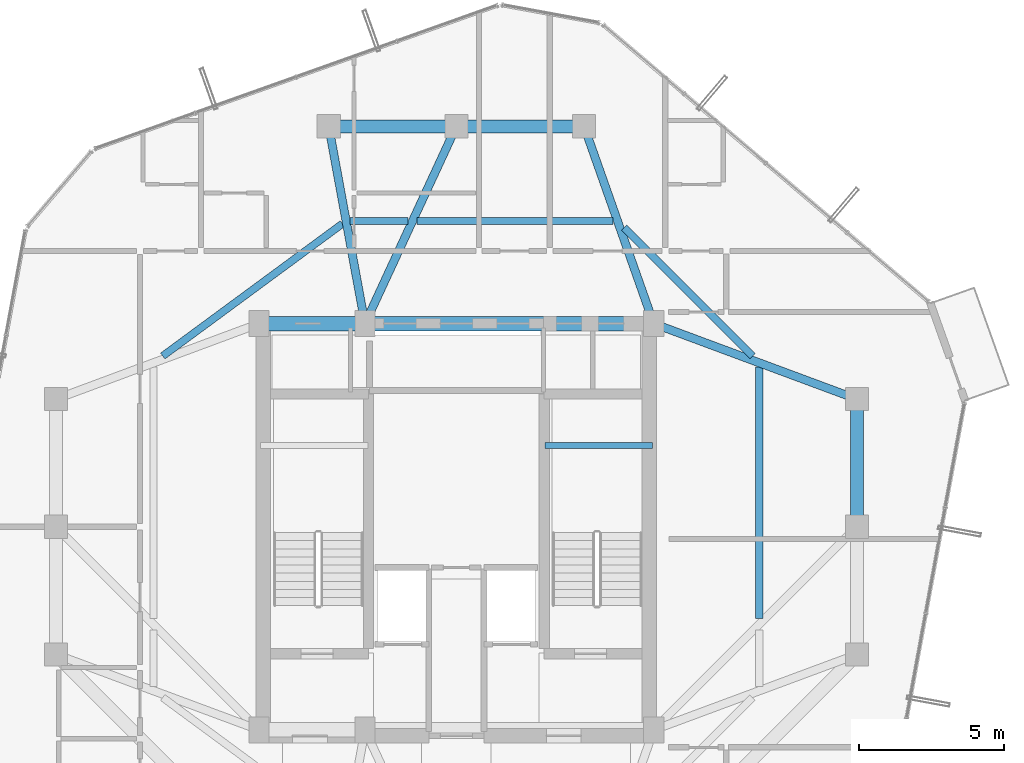
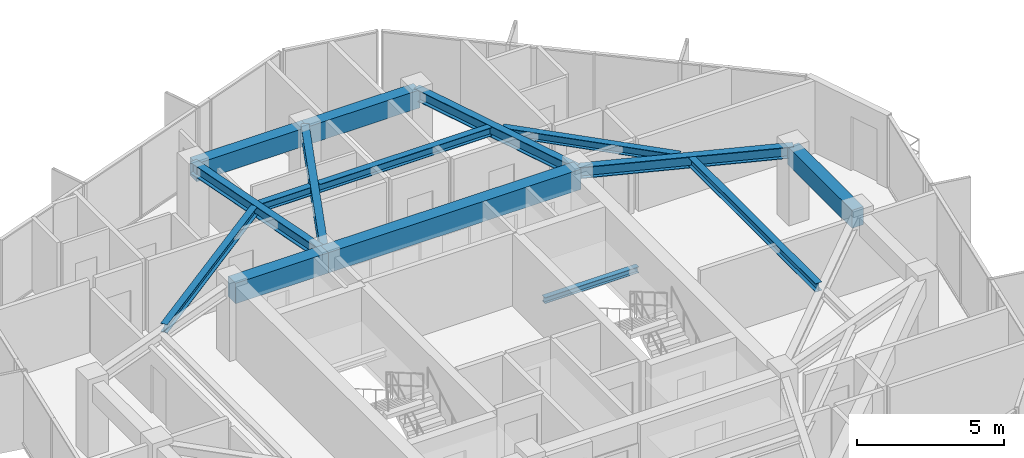
# One storey, part 15 of 29: 15 beams.
"""IFC4 building model written with IfcOpenShell, lengths in metres."""

from ifc_helpers import new_model, si_unit, direction, frame, origin, origin_2d, place, context, subcontext, project, spatial, rectangle, i_section, extrude, material, material_profile, profile_set, type_object, element, save


model = new_model("IFC4")

# Units and contexts
model_context = context("Model", 3, precision=1e-05, world=origin(), true_north=direction((0.0, 1.0)))
body_context = subcontext(model_context, "Body", "Model", "MODEL_VIEW")
ifc_project = project(units=[si_unit("LENGTHUNIT", "METRE"), si_unit("AREAUNIT", "SQUARE_METRE"), si_unit("VOLUMEUNIT", "CUBIC_METRE"), si_unit("PLANEANGLEUNIT", "RADIAN"), si_unit("MASSUNIT", "GRAM", prefix="KILO")], contexts=[model_context])

# Site, building, storey
site_placement = place(None, origin())
site = spatial("IfcSite", under=ifc_project, at=site_placement, CompositionType="ELEMENT")
building_placement = place(site_placement, origin())
building = spatial("IfcBuilding", under=site, at=building_placement, Name="Veraguas Prism Commons", CompositionType="ELEMENT")
storey_placement = place(building_placement, frame((0.0, 0.0, 244.75)))
storey = spatial("IfcBuildingStorey", under=building, at=storey_placement, Name="L69", CompositionType="ELEMENT", Elevation=244.75)

# Beams
ifc_material_1 = material(Name="Concrete C50/60", Category="concrete")
ifc_material_profile_1 = material_profile(ifc_material_1, rectangle(XDim=0.5, YDim=0.85009765625, at=origin_2d()), Name="RC500X850")
ifc_profile_set_1 = profile_set([ifc_material_profile_1], Name="Concrete C50/60")
beam_type_1 = type_object("IfcBeamType", Name="Core Coupling Beam RC 500x850", PredefinedType="BEAM", material=ifc_profile_set_1)
beam_1_placement = place(storey_placement, frame((17.199951171875, 31.0, 2.590087890625), z_axis=(1.0, 0.0, 0.0), x_axis=(0.0, 1.0, 0.0)))
element("IfcBeam", 1, at=beam_1_placement, inside=storey, type_object=beam_type_1, Name="Core Coupling Beam L69-CRN1", PredefinedType="BEAM", context=body_context, shape_type="SweptSolid", body=[
    extrude(rectangle(XDim=0.5, YDim=0.85009765625, at=origin_2d()), origin(), (0.0, 0.0, 1.0), 3.650146484375),
])
beam_2_placement = place(storey_placement, frame((20.85009765625, 31.0, 2.590087890625), z_axis=(1.0, 0.0, 0.0), x_axis=(0.0, 1.0, 0.0)))
element("IfcBeam", 2, at=beam_2_placement, inside=storey, type_object=beam_type_1, Name="Core Coupling Beam L69-CRN2", PredefinedType="BEAM", context=body_context, shape_type="SweptSolid", body=[
    extrude(rectangle(XDim=0.5, YDim=0.85009765625, at=origin_2d()), origin(), (0.0, 0.0, 1.0), 9.949951171875),
])
ifc_material_profile_2 = material_profile(ifc_material_1, rectangle(XDim=0.449951171875, YDim=0.75, at=origin_2d()), Name="RC450X750")
ifc_profile_set_2 = profile_set([ifc_material_profile_2], Name="Concrete C50/60")
beam_type_2 = type_object("IfcBeamType", Name="Perimeter Spandrel Upper RC 450x750", PredefinedType="SPANDREL", material=ifc_profile_set_2)
for number, where, z_axis, x_axis, name in (
    (3, (37.800048828125, 24.0, 2.639892578125), (0.0, 1.0, 0.0), (-1.0, 0.0, 0.0), "Perimeter Spandrel Beam L69-SP02"),
    (4, (28.39990234375, 37.800048828125, 2.639892578125), (-1.0, 0.0, 0.0), (0.0, -1.0, 0.0), "Perimeter Spandrel Beam L69-SP04"),
    (5, (24.0, 37.800048828125, 2.639892578125), (-1.0, 0.0, 0.0), (0.0, -1.0, 0.0), "Perimeter Spandrel Beam L69-SP05"),
):
    element("IfcBeam", number, at=place(storey_placement, frame(where, z_axis=z_axis, x_axis=x_axis)), inside=storey, type_object=beam_type_2, Name=name, PredefinedType="SPANDREL", context=body_context, shape_type="SweptSolid", body=[
        extrude(rectangle(XDim=0.449951171875, YDim=0.75, at=origin_2d()), origin(), (0.0, 0.0, 1.0), 4.39990234375),
    ])
ifc_material_2 = material(Name="Steel ASTM A992 Grade 50", Category="steel")
ifc_material_profile_3 = material_profile(ifc_material_2, i_section(OverallWidth=0.202880859375, OverallDepth=0.251953125, WebThickness=0.008056640625, FlangeThickness=0.013427734375, at=origin_2d()), Name="W250X58")
ifc_profile_set_3 = profile_set([ifc_material_profile_3], Name="Steel ASTM A992 Grade 50")
beam_type_3 = type_object("IfcBeamType", Name="Structural Opening Lintel W250x58", PredefinedType="LINTEL", material=ifc_profile_set_3)
beam_3_placement = place(storey_placement, frame((27.050048828125, 26.800048828125, 1.299072265625), z_axis=(1.0, 0.0, 0.0), x_axis=(0.0, 1.0, 0.0)))
element("IfcBeam", 6, at=beam_3_placement, inside=storey, type_object=beam_type_3, Name="Stair ST-02 Half-Landing Support Beam L69-1", PredefinedType="LINTEL", context=body_context, shape_type="SweptSolid", body=[
    extrude(i_section(OverallWidth=0.202880859375, OverallDepth=0.251953125, WebThickness=0.008056640625, FlangeThickness=0.013427734375, at=origin_2d()), origin(), (0.0, 0.0, 1.0), 3.699951171875),
])
ifc_material_profile_4 = material_profile(ifc_material_2, i_section(OverallWidth=0.25390625, OverallDepth=0.35302734375, WebThickness=0.009521484375, FlangeThickness=0.016357421875, at=origin_2d()), Name="W360X91")
ifc_profile_set_4 = profile_set([ifc_material_profile_4], Name="Steel ASTM A992 Grade 50")
beam_type_4 = type_object("IfcBeamType", Name="Upper Floor Joist W360x91", PredefinedType="JOIST", material=ifc_profile_set_4)
beam_4_placement = place(storey_placement, frame((34.43994140625, 20.83740234375, 2.83837890625), z_axis=(0.0, 1.0, 0.0), x_axis=(-1.0, 0.0, 0.0)))
element("IfcBeam", 7, at=beam_4_placement, inside=storey, type_object=beam_type_4, Name="Composite Floor Joist L69-JS02", PredefinedType="JOIST", context=body_context, shape_type="SweptSolid", body=[
    extrude(i_section(OverallWidth=0.25390625, OverallDepth=0.35302734375, WebThickness=0.009521484375, FlangeThickness=0.016357421875, at=origin_2d()), origin(), (0.0, 0.0, 1.0), 8.661865234375),
])
beam_5_placement = place(storey_placement, frame((34.203369140625, 29.884765625, 2.83837890625), z_axis=(-0.707126297541, 0.707087264294, 0.0), x_axis=(-0.707087264294, -0.707126297541, 0.0)))
element("IfcBeam", 8, at=beam_5_placement, inside=storey, type_object=beam_type_4, Name="Composite Floor Joist L69-JS03", PredefinedType="JOIST", context=body_context, shape_type="SweptSolid", body=[
    extrude(i_section(OverallWidth=0.25390625, OverallDepth=0.35302734375, WebThickness=0.009521484375, FlangeThickness=0.016357421875, at=origin_2d()), origin(), (0.0, 0.0, 1.0), 6.254638671875),
])
beam_6_placement = place(storey_placement, frame((29.404052734375, 34.535888671875, 2.83837890625), z_axis=(-1.0, 0.0, 0.0), x_axis=(0.0, -1.0, 0.0)))
element("IfcBeam", 9, at=beam_6_placement, inside=storey, type_object=beam_type_4, Name="Composite Floor Joist L69-JS04", PredefinedType="JOIST", context=body_context, shape_type="SweptSolid", body=[
    extrude(i_section(OverallWidth=0.25390625, OverallDepth=0.35302734375, WebThickness=0.009521484375, FlangeThickness=0.016357421875, at=origin_2d()), origin(), (0.0, 0.0, 1.0), 6.762451171875),
])
beam_7_placement = place(storey_placement, frame((22.334228515625, 34.535888671875, 2.83837890625), z_axis=(-1.0, 0.0, 0.0), x_axis=(0.0, -1.0, 0.0)))
element("IfcBeam", 10, at=beam_7_placement, inside=storey, type_object=beam_type_4, Name="Composite Floor Joist L69-JS05", PredefinedType="JOIST", context=body_context, shape_type="SweptSolid", body=[
    extrude(i_section(OverallWidth=0.25390625, OverallDepth=0.35302734375, WebThickness=0.009521484375, FlangeThickness=0.016357421875, at=origin_2d()), origin(), (0.0, 0.0, 1.0), 1.992431640625),
])
beam_8_placement = place(storey_placement, frame((20.0751953125, 34.444091796875, 2.83837890625), z_axis=(-0.805319835229, -0.592840588174, 0.0), x_axis=(0.592840588174, -0.805319835229, 0.0)))
element("IfcBeam", 11, at=beam_8_placement, inside=storey, type_object=beam_type_4, Name="Composite Floor Joist L69-JS06", PredefinedType="JOIST", context=body_context, shape_type="SweptSolid", body=[
    extrude(i_section(OverallWidth=0.25390625, OverallDepth=0.35302734375, WebThickness=0.009521484375, FlangeThickness=0.016357421875, at=origin_2d()), origin(), (0.0, 0.0, 1.0), 7.69140625),
])
ifc_material_profile_5 = material_profile(ifc_material_2, i_section(OverallWidth=0.282958984375, OverallDepth=0.471923828125, WebThickness=0.013671875, FlangeThickness=0.022216796875, at=origin_2d()), Name="W460X144")
ifc_profile_set_5 = profile_set([ifc_material_profile_5], Name="Steel ASTM A992 Grade 50")
beam_type_5 = type_object("IfcBeamType", Name="Zone 4 Radial Girder W460x144", PredefinedType="BEAM", material=ifc_profile_set_5)
beam_9_placement = place(storey_placement, frame((37.800048828125, 28.39990234375, 2.779052734375), z_axis=(-0.937421003341, 0.348198021958, 0.0), x_axis=(-0.348198021958, -0.937421003341, 0.0)))
element("IfcBeam", 12, at=beam_9_placement, inside=storey, type_object=beam_type_5, Name="Radial Floor Girder L69-RD03", PredefinedType="BEAM", context=body_context, shape_type="SweptSolid", body=[
    extrude(i_section(OverallWidth=0.282958984375, OverallDepth=0.471923828125, WebThickness=0.013671875, FlangeThickness=0.022216796875, at=origin_2d()), origin(), (0.0, 0.0, 1.0), 7.46728515625),
])
beam_10_placement = place(storey_placement, frame((28.39990234375, 37.800048828125, 2.779052734375), z_axis=(0.332836055941, -0.942984708182, 0.0), x_axis=(0.942984708182, 0.332836055941, 0.0)))
element("IfcBeam", 13, at=beam_10_placement, inside=storey, type_object=beam_type_5, Name="Radial Floor Girder L69-RD04", PredefinedType="BEAM", context=body_context, shape_type="SweptSolid", body=[
    extrude(i_section(OverallWidth=0.282958984375, OverallDepth=0.471923828125, WebThickness=0.013671875, FlangeThickness=0.022216796875, at=origin_2d()), origin(), (0.0, 0.0, 1.0), 7.211181640625),
])
beam_11_placement = place(storey_placement, frame((24.0, 37.800048828125, 2.779052734375), z_axis=(-0.420313834543, -0.907378796585, 0.0), x_axis=(0.907378796585, -0.420313834543, 0.0)))
element("IfcBeam", 14, at=beam_11_placement, inside=storey, type_object=beam_type_5, Name="Radial Floor Girder L69-RD05", PredefinedType="BEAM", context=body_context, shape_type="SweptSolid", body=[
    extrude(i_section(OverallWidth=0.282958984375, OverallDepth=0.471923828125, WebThickness=0.013671875, FlangeThickness=0.022216796875, at=origin_2d()), origin(), (0.0, 0.0, 1.0), 7.494140625),
])
beam_12_placement = place(storey_placement, frame((19.60009765625, 37.800048828125, 2.779052734375), z_axis=(0.180793033327, -0.983521163524, 0.0), x_axis=(0.983521163524, 0.180793033327, 0.0)))
element("IfcBeam", 15, at=beam_12_placement, inside=storey, type_object=beam_type_5, Name="Radial Floor Girder L69-RD06", PredefinedType="BEAM", context=body_context, shape_type="SweptSolid", body=[
    extrude(i_section(OverallWidth=0.282958984375, OverallDepth=0.471923828125, WebThickness=0.013671875, FlangeThickness=0.022216796875, at=origin_2d()), origin(), (0.0, 0.0, 1.0), 6.9140625),
])

save(model, "model.ifc")
